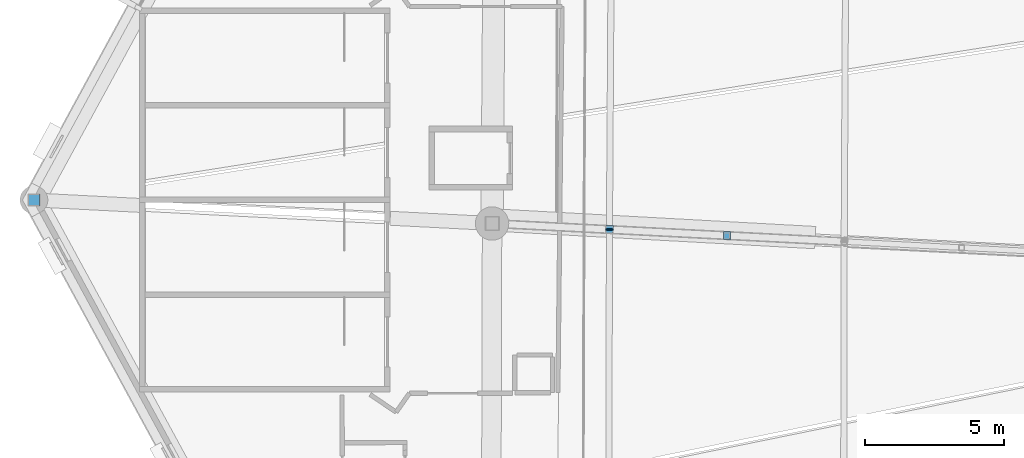
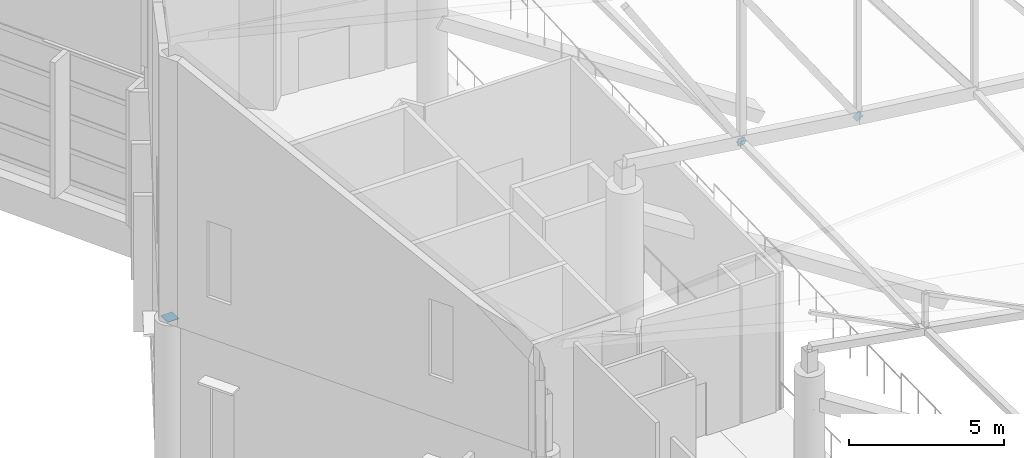
# One storey, part 309 of 344: 5 discrete accessories.
"""IFC4 building model written with IfcOpenShell, lengths in metres."""

from ifc_helpers import new_model, si_unit, direction, frame, origin, origin_2d, place, context, subcontext, project, spatial, rectangle, extrude, material, material_profile, profile_set, type_object, element, save


model = new_model("IFC4")

# Units and contexts
model_context = context("Model", 3, precision=1e-05, world=origin(), true_north=direction((0.0, 1.0)))
body_context = subcontext(model_context, "Body", "Model", "MODEL_VIEW")
ifc_project = project(units=[si_unit("LENGTHUNIT", "METRE"), si_unit("AREAUNIT", "SQUARE_METRE"), si_unit("VOLUMEUNIT", "CUBIC_METRE"), si_unit("PLANEANGLEUNIT", "RADIAN"), si_unit("MASSUNIT", "GRAM", prefix="KILO")], contexts=[model_context])

# Site, building, storey
site_placement = place(None, origin())
site = spatial("IfcSite", under=ifc_project, at=site_placement, CompositionType="ELEMENT")
building_placement = place(site_placement, origin())
building = spatial("IfcBuilding", under=site, at=building_placement, Name="Meseta Stadium", CompositionType="ELEMENT")
storey_placement = place(building_placement, frame((0.0, 0.0, 24.0)))
storey = spatial("IfcBuildingStorey", under=building, at=storey_placement, Name="L04", CompositionType="ELEMENT", Elevation=24.0)

# Discrete accessories
ifc_material_1 = material(Name="Steel S355", Category="steel")
ifc_material_profile_1 = material_profile(ifc_material_1, rectangle(XDim=0.260009765625, YDim=0.260009765625, at=origin_2d()), Name="PL 260x260")
ifc_profile_set_1 = profile_set([ifc_material_profile_1], Name="Steel S355")
discrete_accessory_type_1 = type_object("IfcDiscreteAccessoryType", Name="End plate 260x260x20", PredefinedType="ANCHORPLATE", material=ifc_profile_set_1)
for number, where, z_axis, x_axis, name in (
    (1, (-80.72412109375, 30.187255859375, 6.321044921875), (0.0, -0.999925647793, 0.012194215217), (1.0, 0.0, 0.0), "End plate of ROOF TRUSS STRUT RT-29/30"),
    (2, (-80.72412109375, 30.207275390625, 6.3212890625), (0.0, -0.999925647793, -0.012194215217), (1.0, 0.0, 0.0), "End plate of ROOF TRUSS STRUT RT-30/31"),
):
    element("IfcDiscreteAccessory", number, at=place(storey_placement, frame(where, z_axis=z_axis, x_axis=x_axis)), inside=storey, type_object=discrete_accessory_type_1, Name=name, PredefinedType="ANCHORPLATE", context=body_context, shape_type="SweptSolid", body=[
        extrude(rectangle(XDim=0.260009765625, YDim=0.260009765625, at=origin_2d()), origin(), (0.0, 0.0, 1.0), 0.02001953125),
    ])
ifc_material_2 = material(Name="Steel S355", Category="steel")
ifc_material_profile_2 = material_profile(ifc_material_2, rectangle(XDim=0.2900390625, YDim=0.2900390625, at=origin_2d()), Name="PL 290x290")
ifc_profile_set_2 = profile_set([ifc_material_profile_2], Name="Steel S355")
discrete_accessory_type_2 = type_object("IfcDiscreteAccessoryType", Name="End plate 290x290x20", PredefinedType="ANCHORPLATE", material=ifc_profile_set_2)
discrete_accessory_1_placement = place(storey_placement, frame((-76.49609375, 29.969970703125, 5.95654296875), z_axis=(-0.565835193214, 0.02460153014, 0.824151259682), x_axis=(-0.043437224276, -0.999056158355, 0.0)))
element("IfcDiscreteAccessory", 3, at=discrete_accessory_1_placement, inside=storey, type_object=discrete_accessory_type_2, Name="End plate of ROOF TRUSS RT-30 diagonal", PredefinedType="ANCHORPLATE", context=body_context, shape_type="SweptSolid", body=[
    extrude(rectangle(XDim=0.2900390625, YDim=0.2900390625, at=origin_2d()), origin(), (0.0, 0.0, 1.0), 0.019775390625),
])
discrete_accessory_2_placement = place(storey_placement, frame((-80.71337890625, 30.186767578125, 6.30419921875), z_axis=(-0.537505444318, 0.024432065651, 0.842906264953), x_axis=(-0.045407660919, -0.99896854021, 0.0)))
element("IfcDiscreteAccessory", 4, at=discrete_accessory_2_placement, inside=storey, type_object=discrete_accessory_type_2, Name="End plate of ROOF TRUSS RT-30 diagonal", PredefinedType="ANCHORPLATE", context=body_context, shape_type="SweptSolid", body=[
    extrude(rectangle(XDim=0.2900390625, YDim=0.2900390625, at=origin_2d()), origin(), (0.0, 0.0, 1.0), 0.02001953125),
])
ifc_material_3 = material(Name="Steel S355", Category="steel")
ifc_material_profile_3 = material_profile(ifc_material_3, rectangle(XDim=0.43994140625, YDim=0.43994140625, at=origin_2d()), Name="PL 440x440")
ifc_profile_set_3 = profile_set([ifc_material_profile_3], Name="Steel S355")
discrete_accessory_type_3 = type_object("IfcDiscreteAccessoryType", Name="End plate 440x440x20", PredefinedType="ANCHORPLATE", material=ifc_profile_set_3)
discrete_accessory_3_placement = place(storey_placement, frame((-101.39990234375, 31.25, 5.97998046875), z_axis=(0.0, 0.0, 1.0), x_axis=(1.0, 0.0, 0.0)))
element("IfcDiscreteAccessory", 5, at=discrete_accessory_3_placement, inside=storey, type_object=discrete_accessory_type_3, Name="End plate of ROOF RIM POST RT-30", PredefinedType="ANCHORPLATE", context=body_context, shape_type="SweptSolid", body=[
    extrude(rectangle(XDim=0.43994140625, YDim=0.43994140625, at=origin_2d()), origin(), (0.0, 0.0, 1.0), 0.02001953125),
])

save(model, "model.ifc")
